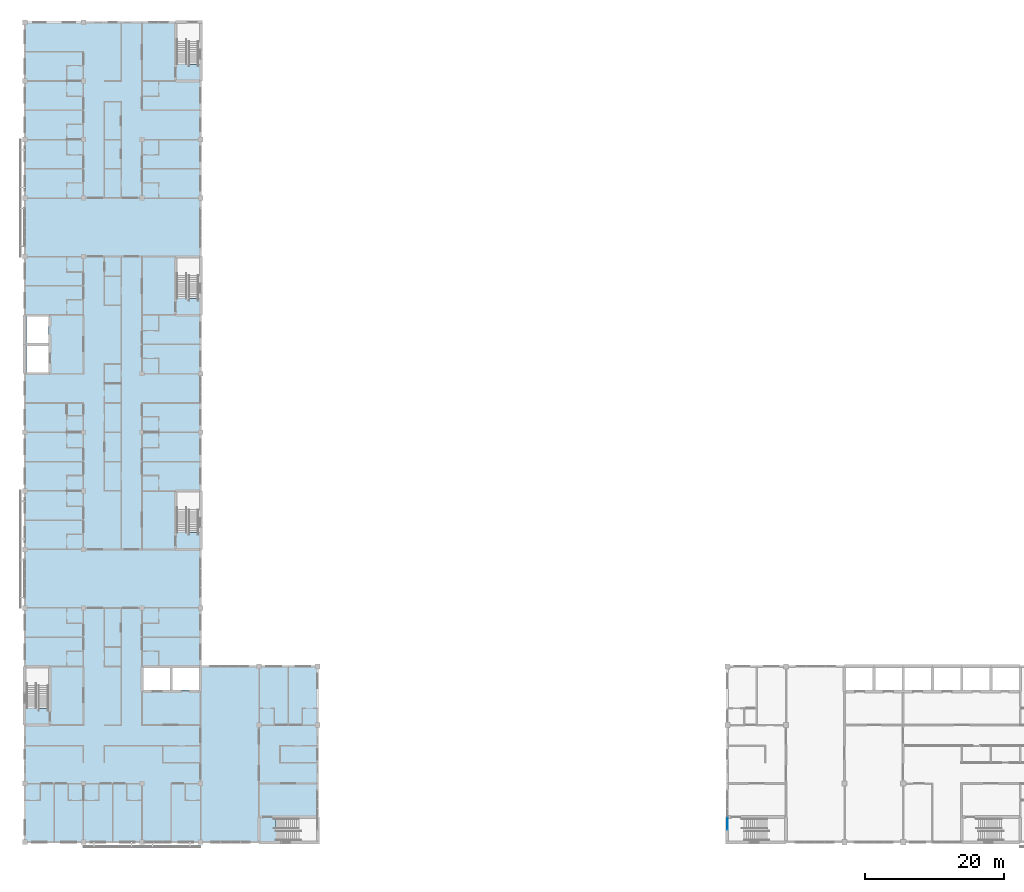
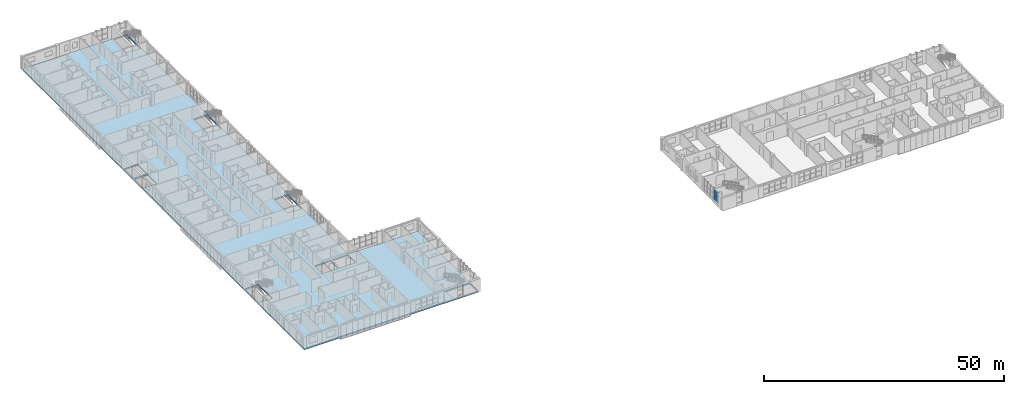
# One storey, part 19 of 45: 2 plates, 1 slab, 1 element without a shape of its own.
"""IFC4 building model written with IfcOpenShell, lengths in metres."""

from ifc_helpers import new_model, si_unit, direction, frame, origin, origin_2d, place, context, subcontext, project, spatial, polyline, rectangle, outline, extrude, material, layer, layer_set, type_object, element, aggregate, save


model = new_model("IFC4")

# Units and contexts
model_context = context("Model", 3, precision=1e-05, world=origin(), true_north=direction((0.0, 1.0)))
body_context = subcontext(model_context, "Body", "Model", "MODEL_VIEW")
ifc_project = project(units=[si_unit("LENGTHUNIT", "METRE"), si_unit("AREAUNIT", "SQUARE_METRE"), si_unit("VOLUMEUNIT", "CUBIC_METRE"), si_unit("PLANEANGLEUNIT", "RADIAN"), si_unit("MASSUNIT", "GRAM", prefix="KILO")], contexts=[model_context])

# Site, building, storey
site_placement = place(None, origin())
site = spatial("IfcSite", under=ifc_project, at=site_placement, CompositionType="ELEMENT")
building_placement = place(site_placement, origin())
building = spatial("IfcBuilding", under=site, at=building_placement, Name="Yavir Park General Hospital", CompositionType="ELEMENT")
storey_placement = place(building_placement, frame((0.0, 0.0, 22.5)))
storey = spatial("IfcBuildingStorey", under=building, at=storey_placement, Name="L05", CompositionType="ELEMENT", Elevation=22.5)

# Slab
ifc_material_1 = material(Name="Concrete C35/45", Category="concrete")
ifc_layer_1 = layer(ifc_material_1, 0.340087890625)
ifc_layer_set_1 = layer_set([ifc_layer_1], Name="Concrete C35/45")
slab_type = type_object("IfcSlabType", Name="RC SLAB FLOOR 340", PredefinedType="FLOOR", material=ifc_layer_set_1)
slab_placement = place(storey_placement, frame((0.0, 0.0, -0.340087890625)))
element("IfcSlab", 1, at=slab_placement, inside=storey, type_object=slab_type, Name="S:L05:0", PredefinedType="FLOOR", context=body_context, shape_type="SweptSolid", body=[
    extrude(outline(polyline([(42.0, 25.199951171875), (25.199951171875, 25.199951171875), (25.199951171875, 117.60009765625), (0.0, 117.60009765625), (0.0, 0.0), (42.0, 0.0), (42.0, 25.199951171875)]), holes=[polyline([(17.0, 21.800048828125), (17.0, 25.0), (20.800048828125, 25.0), (20.800048828125, 21.800048828125), (17.0, 21.800048828125)]), polyline([(21.199951171875, 21.800048828125), (21.199951171875, 25.0), (25.0, 25.0), (25.0, 21.800048828125), (21.199951171875, 21.800048828125)]), polyline([(0.199951171875, 67.39990234375), (0.199951171875, 71.199951171875), (3.39990234375, 71.199951171875), (3.39990234375, 67.39990234375), (0.199951171875, 67.39990234375)]), polyline([(0.199951171875, 71.60009765625), (0.199951171875, 75.39990234375), (3.39990234375, 75.39990234375), (3.39990234375, 71.60009765625), (0.199951171875, 71.60009765625)]), polyline([(3.39990234375, 19.201416015625), (1.64990234375, 19.201416015625), (1.64990234375, 19.3515625), (0.14990234375, 19.3515625), (0.14990234375, 25.0), (3.39990234375, 25.0), (3.39990234375, 19.201416015625)]), polyline([(41.85009765625, 0.14990234375), (36.151611328125, 0.14990234375), (36.151611328125, 1.64990234375), (36.00146484375, 1.64990234375), (36.00146484375, 3.39990234375), (41.85009765625, 3.39990234375), (41.85009765625, 0.14990234375)]), polyline([(21.800048828125, 50.199951171875), (25.050048828125, 50.199951171875), (25.050048828125, 44.401611328125), (23.199951171875, 44.401611328125), (23.199951171875, 44.551513671875), (21.800048828125, 44.551513671875), (21.800048828125, 50.199951171875)]), polyline([(25.050048828125, 78.00146484375), (23.199951171875, 78.00146484375), (23.199951171875, 78.151611328125), (21.800048828125, 78.151611328125), (21.800048828125, 83.800048828125), (25.050048828125, 83.800048828125), (25.050048828125, 78.00146484375)]), polyline([(23.199951171875, 111.75146484375), (21.800048828125, 111.75146484375), (21.800048828125, 117.449951171875), (25.050048828125, 117.449951171875), (25.050048828125, 111.6015625), (23.199951171875, 111.6015625), (23.199951171875, 111.75146484375)])]), origin(), (0.0, 0.0, 1.0), 0.340087890625),
])

# Curtain wall, plates
ifc_material_2 = material(Name="Aluminium curtain wall frame with insulated glazing", Category="aluminium")
curtain_wall_type = type_object("IfcCurtainWallType", Name="Stair light slot, ward floors, 2660 high, 1400 module", PredefinedType="NOTDEFINED", material=ifc_material_2)
curtain_wall_placement = place(storey_placement, origin())
curtain_wall = element("IfcCurtainWall", 2, at=curtain_wall_placement, inside=storey, type_object=curtain_wall_type, Name="CW10 L05-028", PredefinedType="NOTDEFINED")
ifc_material_3 = material(Name="Fire-resisting glazed unit 70 mm")
ifc_layer_2 = layer(ifc_material_3, 0.070068359375)
ifc_layer_set_2 = layer_set([ifc_layer_2], Name="Fire-resisting glazed unit 70 mm")
plate_type = type_object("IfcPlateType", Name="Stair light slot, ward floors, 2660 high panel 70", PredefinedType="CURTAIN_PANEL", material=ifc_layer_set_2)
plate_1_placement = place(storey_placement, frame((100.800048828125, 2.675048828125, 0.650146484375), z_axis=(0.0, 0.0, 1.0), x_axis=(0.0, 1.0, 0.0)))
plate_1 = element("IfcPlate", 3, at=plate_1_placement, type_object=plate_type, Name="CW10 panel 1.1", PredefinedType="CURTAIN_PANEL", context=body_context, shape_type="SweptSolid", body=[
    extrude(rectangle(XDim=1.75, YDim=0.070068359375, at=origin_2d()), origin(), (0.0, 0.0, 1.0), 1.2548828125),
])
plate_2_placement = place(storey_placement, frame((100.800048828125, 2.675048828125, 1.955078125), z_axis=(0.0, 0.0, 1.0), x_axis=(0.0, 1.0, 0.0)))
plate_2 = element("IfcPlate", 4, at=plate_2_placement, type_object=plate_type, Name="CW10 panel 1.2", PredefinedType="CURTAIN_PANEL", context=body_context, shape_type="SweptSolid", body=[
    extrude(rectangle(XDim=1.75, YDim=0.070068359375, at=origin_2d()), origin(), (0.0, 0.0, 1.0), 1.2548828125),
])
aggregate(curtain_wall, [plate_1, plate_2])

save(model, "model.ifc")
